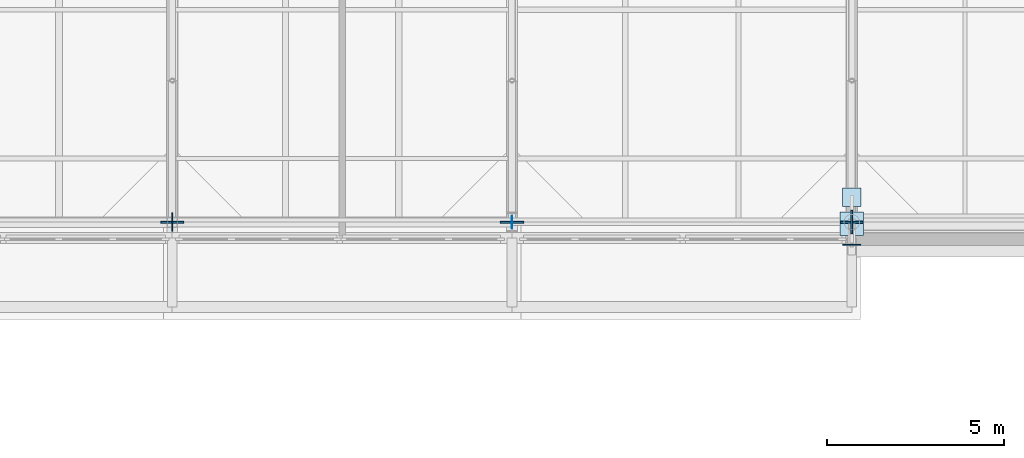
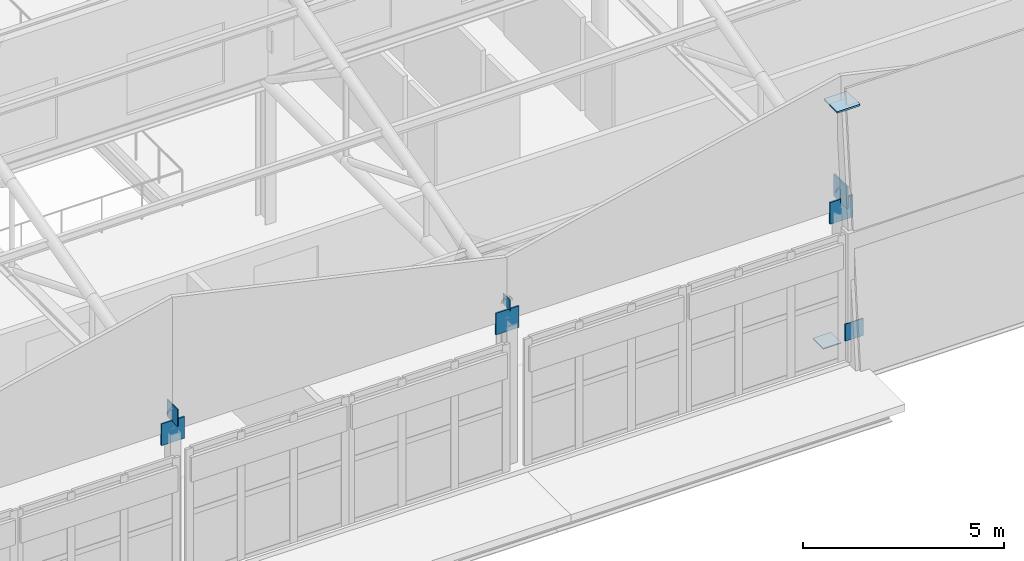
# One storey, part 69 of 89: 9 plates.
"""IFC4 building model written with IfcOpenShell, lengths in metres."""

from ifc_helpers import new_model, si_unit, direction, frame, origin, origin_2d, place, context, subcontext, project, spatial, rectangle, extrude, material, layer, layer_set, type_object, element, save


model = new_model("IFC4")

# Units and contexts
model_context = context("Model", 3, precision=1e-05, world=origin(), true_north=direction((0.0, 1.0)))
body_context = subcontext(model_context, "Body", "Model", "MODEL_VIEW")
ifc_project = project(units=[si_unit("LENGTHUNIT", "METRE"), si_unit("AREAUNIT", "SQUARE_METRE"), si_unit("VOLUMEUNIT", "CUBIC_METRE"), si_unit("PLANEANGLEUNIT", "RADIAN"), si_unit("MASSUNIT", "GRAM", prefix="KILO")], contexts=[model_context])

# Site, building, storey
site_placement = place(None, origin())
site = spatial("IfcSite", under=ifc_project, at=site_placement, CompositionType="ELEMENT")
building_placement = place(site_placement, origin())
building = spatial("IfcBuilding", under=site, at=building_placement, Name="Zereglee Splitstone Museum", CompositionType="ELEMENT")
storey_placement = place(building_placement, frame((0.0, 0.0, 21.300048828125)))
storey = spatial("IfcBuildingStorey", under=building, at=storey_placement, Name="L04", CompositionType="ELEMENT", Elevation=21.300048828125)

# Plates
ifc_material = material(Name="Steel S355J2", Category="steel")
ifc_layer_1 = layer(ifc_material, 0.011962890625)
ifc_layer_set_1 = layer_set([ifc_layer_1], Name="Steel S355J2")
plate_type_1 = type_object("IfcPlateType", Name="NP-06", PredefinedType="SHEET", material=ifc_layer_set_1)
plate_1_placement = place(storey_placement, frame((116.39990234375, 9.60009765625, 4.580078125), z_axis=(0.0, 0.0, 1.0), x_axis=(1.0, 0.0, 0.0)))
element("IfcPlate", 1, at=plate_1_placement, inside=storey, type_object=plate_type_1, Name="Sawtooth Truss Node Plate TN-05-1.0", PredefinedType="SHEET", context=body_context, shape_type="SweptSolid", body=[
    extrude(rectangle(XDim=0.011962890625, YDim=0.340087890625, at=origin_2d()), origin(), (0.0, 0.0, 1.0), 0.340087890625),
])
ifc_layer_2 = layer(ifc_material, 0.030029296875)
ifc_layer_set_2 = layer_set([ifc_layer_2], Name="Steel S355J2")
plate_type_2 = type_object("IfcPlateType", Name="NP-04", PredefinedType="SHEET", material=ifc_layer_set_2)
plate_2_placement = place(storey_placement, frame((106.800048828125, 9.60009765625, 4.489990234375), z_axis=(0.0, 0.0, 1.0), x_axis=(1.0, 0.0, 0.0)))
element("IfcPlate", 2, at=plate_2_placement, inside=storey, type_object=plate_type_2, Name="Sawtooth Truss Node Plate TN-04-1.0", PredefinedType="SHEET", context=body_context, shape_type="SweptSolid", body=[
    extrude(rectangle(XDim=0.030029296875, YDim=0.52001953125, at=origin_2d()), origin(), (0.0, 0.0, 1.0), 0.52001953125),
])
plate_3_placement = place(storey_placement, frame((126.0, 10.300048828125, -0.23486328125), z_axis=(0.0, 0.0, 1.0), x_axis=(1.0, 0.0, 0.0)))
element("IfcPlate", 3, at=plate_3_placement, inside=storey, type_object=plate_type_2, Name="Facet Tie Seal Plate FH-V2SE", PredefinedType="SHEET", context=body_context, shape_type="SweptSolid", body=[
    extrude(rectangle(XDim=0.52001953125, YDim=0.52001953125, at=origin_2d()), origin(), (0.0, 0.0, 1.0), 0.030029296875),
])
plate_4_placement = place(storey_placement, frame((126.0, 8.95556640625, 0.679931640625), z_axis=(0.0, 0.0, 1.0), x_axis=(1.0, 0.0, 0.0)))
element("IfcPlate", 4, at=plate_4_placement, inside=storey, type_object=plate_type_2, Name="Facet Tie Seal Plate FH-V2SE", PredefinedType="SHEET", context=body_context, shape_type="SweptSolid", body=[
    extrude(rectangle(XDim=0.52001953125, YDim=0.030029296875, at=origin_2d()), origin(), (0.0, 0.0, 1.0), 0.52001953125),
])
ifc_layer_3 = layer(ifc_material, 0.050048828125)
ifc_layer_set_3 = layer_set([ifc_layer_3], Name="Steel S355J2")
plate_type_3 = type_object("IfcPlateType", Name="NP-02", PredefinedType="SHEET", material=ifc_layer_set_3)
for number, where, z_axis, x_axis, name in (
    (5, (106.800048828125, 9.60009765625, 3.8701171875), (0.0, 0.0, 1.0), (1.0, 0.0, 0.0), "Sawtooth Bottom Chord End Cap ST-04"),
    (6, (116.39990234375, 9.60009765625, 3.8701171875), (0.0, 0.0, 1.0), (1.0, 0.0, 0.0), "Sawtooth Bottom Chord End Cap ST-05"),
):
    element("IfcPlate", number, at=place(storey_placement, frame(where, z_axis=z_axis, x_axis=x_axis)), inside=storey, type_object=plate_type_3, Name=name, PredefinedType="SHEET", context=body_context, shape_type="SweptSolid", body=[
        extrude(rectangle(XDim=0.659912109375, YDim=0.050048828125, at=origin_2d()), origin(), (0.0, 0.0, 1.0), 0.659912109375),
    ])
plate_5_placement = place(storey_placement, frame((126.0, 9.60009765625, 4.419921875), z_axis=(0.0, 0.0, 1.0), x_axis=(1.0, 0.0, 0.0)))
element("IfcPlate", 7, at=plate_5_placement, inside=storey, type_object=plate_type_3, Name="Sawtooth Truss Node Plate TN-06-1.0", PredefinedType="SHEET", context=body_context, shape_type="SweptSolid", body=[
    extrude(rectangle(XDim=0.050048828125, YDim=0.659912109375, at=origin_2d()), origin(), (0.0, 0.0, 1.0), 0.659912109375),
])
plate_6_placement = place(storey_placement, frame((126.0, 9.60009765625, 3.8701171875), z_axis=(0.0, 0.0, 1.0), x_axis=(1.0, 0.0, 0.0)))
element("IfcPlate", 8, at=plate_6_placement, inside=storey, type_object=plate_type_3, Name="Sawtooth Bottom Chord End Cap ST-06", PredefinedType="SHEET", context=body_context, shape_type="SweptSolid", body=[
    extrude(rectangle(XDim=0.659912109375, YDim=0.050048828125, at=origin_2d()), origin(), (0.0, 0.0, 1.0), 0.659912109375),
])
plate_7_placement = place(storey_placement, frame((126.0, 9.552490234375, 7.455078125), z_axis=(0.0, 0.0, 1.0), x_axis=(1.0, 0.0, 0.0)))
element("IfcPlate", 9, at=plate_7_placement, inside=storey, type_object=plate_type_3, Name="Facet Strut Seal Plate FH-V2SE", PredefinedType="SHEET", context=body_context, shape_type="SweptSolid", body=[
    extrude(rectangle(XDim=0.659912109375, YDim=0.659912109375, at=origin_2d()), origin(), (0.0, 0.0, 1.0), 0.050048828125),
])

save(model, "model.ifc")
